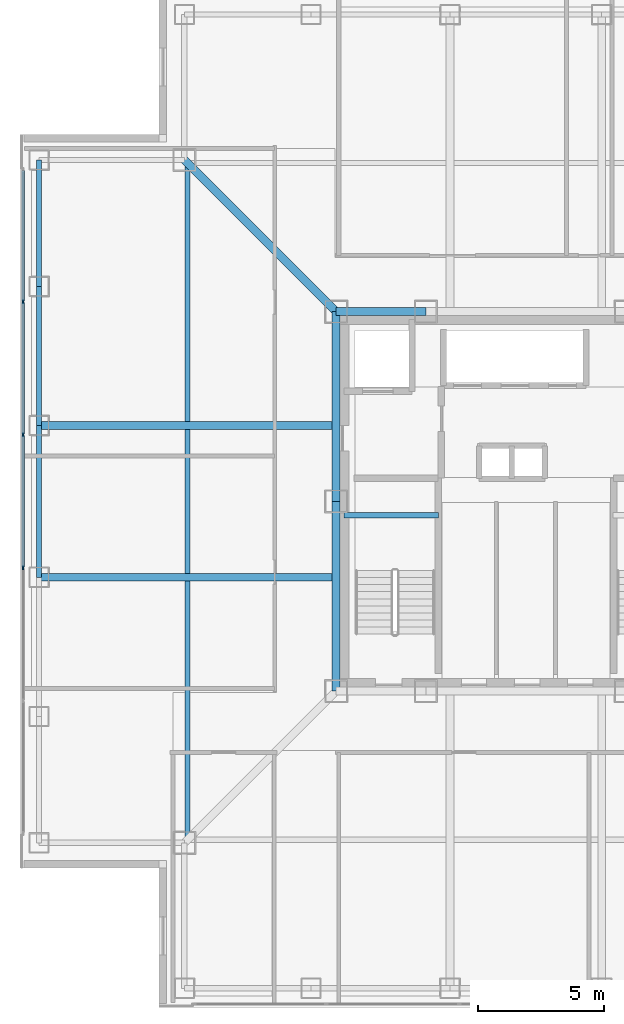
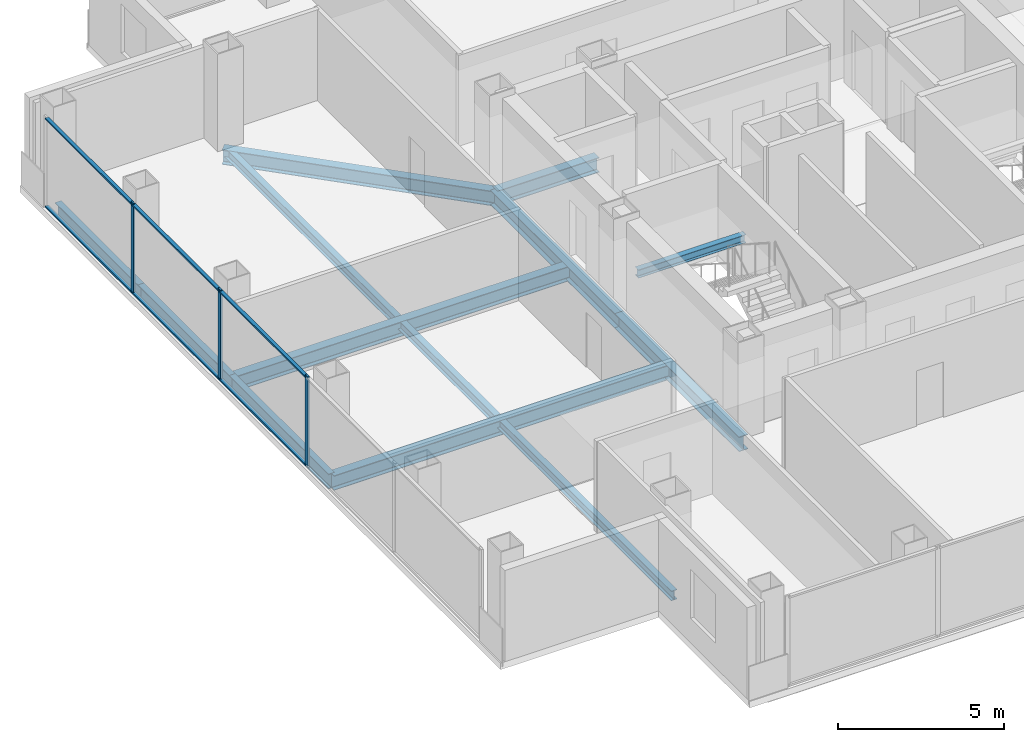
# One storey, part 4 of 18: 11 beams, 9 members, 1 element without a shape of its own.
"""IFC4 building model written with IfcOpenShell, lengths in metres."""

from ifc_helpers import new_model, si_unit, direction, frame, origin, origin_2d, place, context, subcontext, project, spatial, rectangle, i_section, extrude, material, layer, layer_set, material_profile, profile_set, type_object, element, aggregate, save


model = new_model("IFC4")

# Units and contexts
model_context = context("Model", 3, precision=1e-05, world=origin(), true_north=direction((0.0, 1.0)))
body_context = subcontext(model_context, "Body", "Model", "MODEL_VIEW")
ifc_project = project(units=[si_unit("LENGTHUNIT", "METRE"), si_unit("AREAUNIT", "SQUARE_METRE"), si_unit("VOLUMEUNIT", "CUBIC_METRE"), si_unit("PLANEANGLEUNIT", "RADIAN"), si_unit("MASSUNIT", "GRAM", prefix="KILO")], contexts=[model_context])

# Site, building, storey
site_placement = place(None, origin())
site = spatial("IfcSite", under=ifc_project, at=site_placement, CompositionType="ELEMENT")
building_placement = place(site_placement, origin())
building = spatial("IfcBuilding", under=site, at=building_placement, Name="Trevonay Congress Spire", CompositionType="ELEMENT")
storey_placement = place(building_placement, frame((0.0, 0.0, 220.199951171875)))
storey = spatial("IfcBuildingStorey", under=building, at=storey_placement, Name="L57", CompositionType="ELEMENT", Elevation=220.199951171875)

# Beams
ifc_material_1 = material(Name="Steel ASTM A572 Grade 50", Category="steel")
ifc_material_profile_1 = material_profile(ifc_material_1, i_section(OverallWidth=0.31201171875, OverallDepth=0.54296875, WebThickness=0.0126953125, FlangeThickness=0.020263671875, FilletRadius=0.014892578125, at=origin_2d()), Name="W530x150")
ifc_profile_set_1 = profile_set([ifc_material_profile_1], Name="Steel ASTM A572 Grade 50")
beam_type_1 = type_object("IfcBeamType", Name="BM-GIRD-W530X150", PredefinedType="BEAM", material=ifc_profile_set_1)
beam_1_placement = place(storey_placement, frame((-7.5, 7.5, -0.511474609375), z_axis=(1.0, 0.0, 0.0), x_axis=(0.0, 1.0, 0.0)))
element("IfcBeam", 1, at=beam_1_placement, inside=storey, type_object=beam_type_1, Name="L57 structural beam BM-L57-CR-N1", PredefinedType="BEAM", context=body_context, shape_type="SweptSolid", body=[
    extrude(i_section(OverallWidth=0.31201171875, OverallDepth=0.54296875, WebThickness=0.0126953125, FlangeThickness=0.020263671875, FilletRadius=0.014892578125, at=origin_2d()), origin(), (0.0, 0.0, 1.0), 3.550048828125),
])
for number, where, z_axis, x_axis, name in (
    (2, (-7.5, -7.5, -0.511474609375), (0.0, 1.0, 0.0), (-1.0, 0.0, 0.0), "L57 structural beam BM-L57-CR-W1"),
    (3, (-7.5, 0.0, -0.511474609375), (0.0, 1.0, 0.0), (-1.0, 0.0, 0.0), "L57 structural beam BM-L57-CR-W2"),
):
    element("IfcBeam", number, at=place(storey_placement, frame(where, z_axis=z_axis, x_axis=x_axis)), inside=storey, type_object=beam_type_1, Name=name, PredefinedType="BEAM", context=body_context, shape_type="SweptSolid", body=[
        extrude(i_section(OverallWidth=0.31201171875, OverallDepth=0.54296875, WebThickness=0.0126953125, FlangeThickness=0.020263671875, FilletRadius=0.014892578125, at=origin_2d()), origin(), (0.0, 0.0, 1.0), 7.5),
    ])
beam_2_placement = place(storey_placement, frame((-7.5, 7.5, -0.511474609375), z_axis=(-0.707106781187, 0.707106781187, 0.0), x_axis=(-0.707106781187, -0.707106781187, 0.0)))
element("IfcBeam", 4, at=beam_2_placement, inside=storey, type_object=beam_type_1, Name="L57 structural beam BM-L57-CDNW", PredefinedType="BEAM", context=body_context, shape_type="SweptSolid", body=[
    extrude(i_section(OverallWidth=0.31201171875, OverallDepth=0.54296875, WebThickness=0.0126953125, FlangeThickness=0.020263671875, FilletRadius=0.014892578125, at=origin_2d()), origin(), (0.0, 0.0, 1.0), 8.4853515625),
])
for number, where, z_axis, x_axis, name in (
    (5, (-7.5, -3.0, -0.511474609375), (-1.0, 0.0, 0.0), (0.0, -1.0, 0.0), "L57 structural beam BM-L57-GW-M"),
    (6, (-7.5, 3.0, -0.511474609375), (-1.0, 0.0, 0.0), (0.0, -1.0, 0.0), "L57 structural beam BM-L57-GW-P"),
):
    element("IfcBeam", number, at=place(storey_placement, frame(where, z_axis=z_axis, x_axis=x_axis)), inside=storey, type_object=beam_type_1, Name=name, PredefinedType="BEAM", context=body_context, shape_type="SweptSolid", body=[
        extrude(i_section(OverallWidth=0.31201171875, OverallDepth=0.54296875, WebThickness=0.0126953125, FlangeThickness=0.020263671875, FilletRadius=0.014892578125, at=origin_2d()), origin(), (0.0, 0.0, 1.0), 11.75),
    ])
ifc_material_profile_2 = material_profile(ifc_material_1, i_section(OverallWidth=0.2119140625, OverallDepth=0.5439453125, WebThickness=0.01318359375, FlangeThickness=0.021240234375, FilletRadius=0.014892578125, at=origin_2d()), Name="W530x123")
ifc_profile_set_2 = profile_set([ifc_material_profile_2], Name="Steel ASTM A572 Grade 50")
beam_type_2 = type_object("IfcBeamType", Name="BM-RING-W530X123", PredefinedType="BEAM", material=ifc_profile_set_2)
beam_3_placement = place(storey_placement, frame((-19.25, -3.0, -0.511962890625), z_axis=(0.0, 1.0, 0.0), x_axis=(-1.0, 0.0, 0.0)))
element("IfcBeam", 7, at=beam_3_placement, inside=storey, type_object=beam_type_2, Name="L57 structural beam BM-L57-PW3", PredefinedType="BEAM", context=body_context, shape_type="SweptSolid", body=[
    extrude(i_section(OverallWidth=0.2119140625, OverallDepth=0.5439453125, WebThickness=0.01318359375, FlangeThickness=0.021240234375, FilletRadius=0.014892578125, at=origin_2d()), origin(), (0.0, 0.0, 1.0), 6.0),
])
beam_4_placement = place(storey_placement, frame((-19.25, 3.0, -0.511962890625), z_axis=(0.0, 1.0, 0.0), x_axis=(-1.0, 0.0, 0.0)))
element("IfcBeam", 8, at=beam_4_placement, inside=storey, type_object=beam_type_2, Name="L57 structural beam BM-L57-PW4", PredefinedType="BEAM", context=body_context, shape_type="SweptSolid", body=[
    extrude(i_section(OverallWidth=0.2119140625, OverallDepth=0.5439453125, WebThickness=0.01318359375, FlangeThickness=0.021240234375, FilletRadius=0.014892578125, at=origin_2d()), origin(), (0.0, 0.0, 1.0), 5.5),
])
beam_5_placement = place(storey_placement, frame((-19.25, 8.5, -0.511962890625), z_axis=(0.0, 1.0, 0.0), x_axis=(-1.0, 0.0, 0.0)))
element("IfcBeam", 9, at=beam_5_placement, inside=storey, type_object=beam_type_2, Name="L57 structural beam BM-L57-PW5", PredefinedType="BEAM", context=body_context, shape_type="SweptSolid", body=[
    extrude(i_section(OverallWidth=0.2119140625, OverallDepth=0.5439453125, WebThickness=0.01318359375, FlangeThickness=0.021240234375, FilletRadius=0.014892578125, at=origin_2d()), origin(), (0.0, 0.0, 1.0), 5.0),
])

# Curtain wall, members
ifc_material_2 = material(Name="Pale Anodised Aluminium EN AW-6063-T6", Category="aluminium")
ifc_layer = layer(ifc_material_2, 0.169921875, Name="Pale Anodised Aluminium EN AW-6063-T6")
ifc_layer_set = layer_set([ifc_layer], Name="Pale Anodised Aluminium EN AW-6063-T6")
curtain_wall_type = type_object("IfcCurtainWallType", Name="CW-SYS04-CORP-PALE-METAL", PredefinedType="NOTDEFINED", material=ifc_layer_set)
curtain_wall_placement = place(storey_placement, origin())
curtain_wall = element("IfcCurtainWall", 10, at=curtain_wall_placement, inside=storey, type_object=curtain_wall_type, Name="L57 W unitised curtain wall", PredefinedType="NOTDEFINED")
ifc_material_profile_3 = material_profile(ifc_material_2, rectangle(XDim=0.06005859375, YDim=0.159912109375, at=origin_2d()), Name="CW-MULLION-160-ALUMINIUM")
ifc_profile_set_3 = profile_set([ifc_material_profile_3], Name="Pale Anodised Aluminium EN AW-6063-T6")
member_type_1 = type_object("IfcMemberType", Name="CW-MULLION-160-ALUMINIUM", PredefinedType="MULLION", material=ifc_profile_set_3)
member_1_placement = place(storey_placement, frame((-19.8798828125, -2.6298828125, 0.0), z_axis=(0.0, 0.0, 1.0), x_axis=(-1.0, 0.0, 0.0)))
member_1 = element("IfcMember", 11, at=member_1_placement, type_object=member_type_1, Name="CW04 mullion 3", PredefinedType="MULLION", context=body_context, shape_type="SweptSolid", body=[
    extrude(rectangle(XDim=0.06005859375, YDim=0.159912109375, at=origin_2d()), origin(), (0.0, 0.0, 1.0), 3.360107421875),
])
member_2_placement = place(storey_placement, frame((-19.8798828125, 2.6298828125, 0.0), z_axis=(0.0, 0.0, 1.0), x_axis=(-1.0, 0.0, 0.0)))
member_2 = element("IfcMember", 12, at=member_2_placement, type_object=member_type_1, Name="CW04 mullion 4", PredefinedType="MULLION", context=body_context, shape_type="SweptSolid", body=[
    extrude(rectangle(XDim=0.06005859375, YDim=0.159912109375, at=origin_2d()), origin(), (0.0, 0.0, 1.0), 3.360107421875),
])
member_3_placement = place(storey_placement, frame((-19.8798828125, 7.889892578125, 0.0), z_axis=(0.0, 0.0, 1.0), x_axis=(-1.0, 0.0, 0.0)))
member_3 = element("IfcMember", 13, at=member_3_placement, type_object=member_type_1, Name="CW04 mullion 5", PredefinedType="MULLION", context=body_context, shape_type="SweptSolid", body=[
    extrude(rectangle(XDim=0.06005859375, YDim=0.159912109375, at=origin_2d()), origin(), (0.0, 0.0, 1.0), 3.360107421875),
])
ifc_material_profile_4 = material_profile(ifc_material_2, rectangle(XDim=0.1201171875, YDim=0.06005859375, at=origin_2d()), Name="CW-TRANSOM-120-ALUMINIUM")
ifc_profile_set_4 = profile_set([ifc_material_profile_4], Name="Pale Anodised Aluminium EN AW-6063-T6")
member_type_2 = type_object("IfcMemberType", Name="CW-TRANSOM-120-ALUMINIUM", PredefinedType="USERDEFINED", material=ifc_profile_set_4)
member_4_placement = place(storey_placement, frame((-19.8798828125, -2.60009765625, 0.06005859375), z_axis=(0.0, 1.0, 0.0), x_axis=(-1.0, 0.0, 0.0)))
member_4 = element("IfcMember", 14, at=member_4_placement, type_object=member_type_2, Name="CW04 transom 3.1", ObjectType="TRANSOM", PredefinedType="USERDEFINED", context=body_context, shape_type="SweptSolid", body=[
    extrude(rectangle(XDim=0.1201171875, YDim=0.06005859375, at=origin_2d()), origin(), (0.0, 0.0, 1.0), 5.2001953125),
])
member_5_placement = place(storey_placement, frame((-19.8798828125, -2.60009765625, 3.300048828125), z_axis=(0.0, 1.0, 0.0), x_axis=(-1.0, 0.0, 0.0)))
member_5 = element("IfcMember", 15, at=member_5_placement, type_object=member_type_2, Name="CW04 transom 3.2", ObjectType="TRANSOM", PredefinedType="USERDEFINED", context=body_context, shape_type="SweptSolid", body=[
    extrude(rectangle(XDim=0.1201171875, YDim=0.06005859375, at=origin_2d()), origin(), (0.0, 0.0, 1.0), 5.2001953125),
])
member_6_placement = place(storey_placement, frame((-19.8798828125, 2.659912109375, 0.06005859375), z_axis=(0.0, 1.0, 0.0), x_axis=(-1.0, 0.0, 0.0)))
member_6 = element("IfcMember", 16, at=member_6_placement, type_object=member_type_2, Name="CW04 transom 4.1", ObjectType="TRANSOM", PredefinedType="USERDEFINED", context=body_context, shape_type="SweptSolid", body=[
    extrude(rectangle(XDim=0.1201171875, YDim=0.06005859375, at=origin_2d()), origin(), (0.0, 0.0, 1.0), 5.2001953125),
])
member_7_placement = place(storey_placement, frame((-19.8798828125, 2.659912109375, 3.300048828125), z_axis=(0.0, 1.0, 0.0), x_axis=(-1.0, 0.0, 0.0)))
member_7 = element("IfcMember", 17, at=member_7_placement, type_object=member_type_2, Name="CW04 transom 4.2", ObjectType="TRANSOM", PredefinedType="USERDEFINED", context=body_context, shape_type="SweptSolid", body=[
    extrude(rectangle(XDim=0.1201171875, YDim=0.06005859375, at=origin_2d()), origin(), (0.0, 0.0, 1.0), 5.2001953125),
])
member_8_placement = place(storey_placement, frame((-19.8798828125, 7.919921875, 0.06005859375), z_axis=(0.0, 1.0, 0.0), x_axis=(-1.0, 0.0, 0.0)))
member_8 = element("IfcMember", 18, at=member_8_placement, type_object=member_type_2, Name="CW04 transom 5.1", ObjectType="TRANSOM", PredefinedType="USERDEFINED", context=body_context, shape_type="SweptSolid", body=[
    extrude(rectangle(XDim=0.1201171875, YDim=0.06005859375, at=origin_2d()), origin(), (0.0, 0.0, 1.0), 5.170166015625),
])
member_9_placement = place(storey_placement, frame((-19.8798828125, 7.919921875, 3.300048828125), z_axis=(0.0, 1.0, 0.0), x_axis=(-1.0, 0.0, 0.0)))
member_9 = element("IfcMember", 19, at=member_9_placement, type_object=member_type_2, Name="CW04 transom 5.2", ObjectType="TRANSOM", PredefinedType="USERDEFINED", context=body_context, shape_type="SweptSolid", body=[
    extrude(rectangle(XDim=0.1201171875, YDim=0.06005859375, at=origin_2d()), origin(), (0.0, 0.0, 1.0), 5.170166015625),
])
aggregate(curtain_wall, [member_1, member_2, member_3, member_4, member_5, member_6, member_7, member_8, member_9])

# Beams
ifc_material_profile_5 = material_profile(ifc_material_1, i_section(OverallWidth=0.205078125, OverallDepth=0.35400390625, WebThickness=0.009521484375, FlangeThickness=0.016845703125, FilletRadius=0.011962890625, at=origin_2d()), Name="W360x79")
ifc_profile_set_5 = profile_set([ifc_material_profile_5], Name="Steel ASTM A572 Grade 50")
beam_type_3 = type_object("IfcBeamType", Name="JS-COMP-W360X79", PredefinedType="JOIST", material=ifc_profile_set_5)
beam_6_placement = place(storey_placement, frame((-13.375, -13.5, -0.4169921875), z_axis=(0.0, 1.0, 0.0), x_axis=(-1.0, 0.0, 0.0)))
element("IfcBeam", 20, at=beam_6_placement, inside=storey, type_object=beam_type_3, Name="L57 structural beam JS-L57-RING-W", PredefinedType="JOIST", context=body_context, shape_type="SweptSolid", body=[
    extrude(i_section(OverallWidth=0.205078125, OverallDepth=0.35400390625, WebThickness=0.009521484375, FlangeThickness=0.016845703125, FilletRadius=0.011962890625, at=origin_2d()), origin(), (0.0, 0.0, 1.0), 27.0),
])
ifc_material_profile_6 = material_profile(ifc_material_1, i_section(OverallWidth=0.2041015625, OverallDepth=0.305908203125, WebThickness=0.008544921875, FlangeThickness=0.0146484375, FilletRadius=0.010986328125, at=origin_2d()), Name="W310x67")
ifc_profile_set_6 = profile_set([ifc_material_profile_6], Name="Steel ASTM A572 Grade 50")
beam_type_4 = type_object("IfcBeamType", Name="LN-CORE-W310X67", PredefinedType="LINTEL", material=ifc_profile_set_6)
beam_7_placement = place(storey_placement, frame((-7.199951171875, -0.550048828125, 1.447021484375), z_axis=(1.0, 0.0, 0.0), x_axis=(0.0, 1.0, 0.0)))
element("IfcBeam", 21, at=beam_7_placement, inside=storey, type_object=beam_type_4, Name="L57 structural beam BM-L57-HL-ST1", PredefinedType="LINTEL", context=body_context, shape_type="SweptSolid", body=[
    extrude(i_section(OverallWidth=0.2041015625, OverallDepth=0.305908203125, WebThickness=0.008544921875, FlangeThickness=0.0146484375, FilletRadius=0.010986328125, at=origin_2d()), origin(), (0.0, 0.0, 1.0), 3.75),
])

save(model, "model.ifc")
